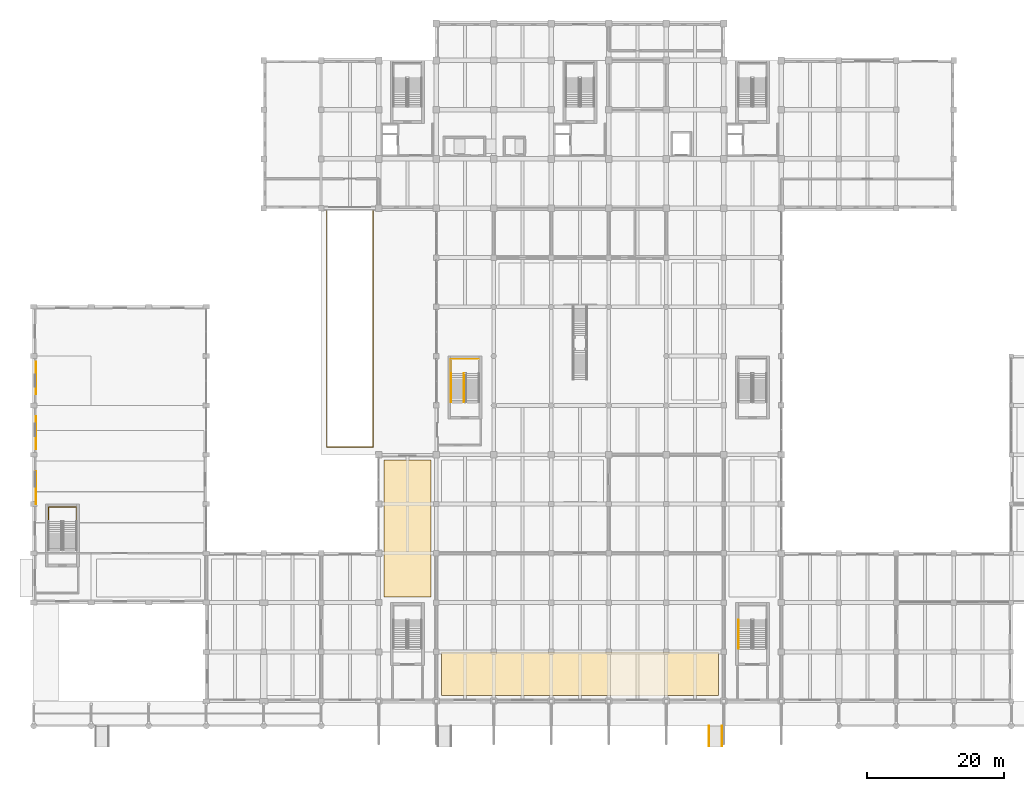
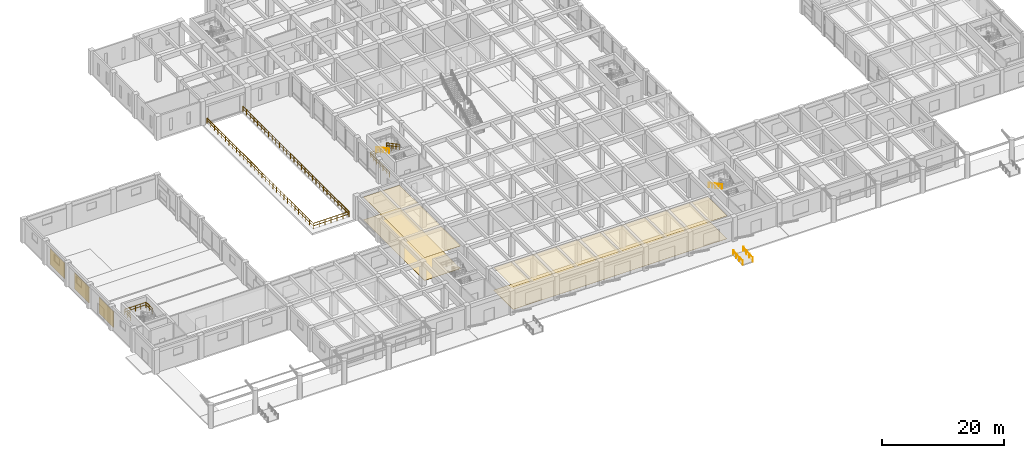
# One storey, part 40 of 49: 8 railings, 7 coverings.
"""IFC4 building model written with IfcOpenShell, lengths in metres."""

from ifc_helpers import new_model, si_unit, direction, frame, origin, origin_2d, place, context, subcontext, project, spatial, polyline, rectangle, circle, outline, extrude, material, layer, layer_set, type_object, element, save


model = new_model("IFC4")

# Units and contexts
model_context = context("Model", 3, precision=1e-05, world=origin(), true_north=direction((0.0, 1.0)))
body_context = subcontext(model_context, "Body", "Model", "MODEL_VIEW")
ifc_project = project(units=[si_unit("LENGTHUNIT", "METRE"), si_unit("AREAUNIT", "SQUARE_METRE"), si_unit("VOLUMEUNIT", "CUBIC_METRE"), si_unit("PLANEANGLEUNIT", "RADIAN"), si_unit("MASSUNIT", "GRAM", prefix="KILO")], contexts=[model_context])

# Site, building, storey
site_placement = place(None, origin())
site = spatial("IfcSite", under=ifc_project, at=site_placement, CompositionType="ELEMENT")
building_placement = place(site_placement, origin())
building = spatial("IfcBuilding", under=site, at=building_placement, Name="Kenerak Square Central Library", CompositionType="ELEMENT")
storey_placement = place(building_placement, origin())
storey = spatial("IfcBuildingStorey", under=building, at=storey_placement, Name="L00", CompositionType="ELEMENT", Elevation=0.0)

# Coverings
ifc_material_1 = material(Name="Chengal hardwood timber SG1", Category="wood")
ifc_layer_1 = layer(ifc_material_1, 0.034912109375)
ifc_layer_set_1 = layer_set([ifc_layer_1], Name="Chengal hardwood timber SG1")
covering_type_1 = type_object("IfcCoveringType", Name="Fluted Chengal Acoustic Wall Cladding CV-CLAD", PredefinedType="CLADDING", material=ifc_layer_set_1)
for number, where, z_axis, x_axis, name in (
    (1, (8.35009765625, 48.0, 0.2001953125), (0.0, 0.0, 1.0), (1.0, 0.0, 0.0), "Chengal Acoustic Wall Cladding L00 01"),
    (2, (8.35009765625, 56.0, 0.2001953125), (0.0, 0.0, 1.0), (1.0, 0.0, 0.0), "Chengal Acoustic Wall Cladding L00 02"),
    (3, (8.35009765625, 64.0, 0.2001953125), (0.0, 0.0, 1.0), (1.0, 0.0, 0.0), "Chengal Acoustic Wall Cladding L00 03"),
):
    element("IfcCovering", number, at=place(storey_placement, frame(where, z_axis=z_axis, x_axis=x_axis)), inside=storey, type_object=covering_type_1, Name=name, PredefinedType="CLADDING", context=body_context, shape_type="SweptSolid", body=[
        extrude(rectangle(XDim=0.050048828125, YDim=4.800048828125, at=origin_2d()), origin(), (0.0, 0.0, 1.0), 3.199951171875),
    ])
ifc_layer_2 = layer(ifc_material_1, 0.044921875)
ifc_layer_set_2 = layer_set([ifc_layer_2], Name="Chengal hardwood timber SG1")
covering_type_2 = type_object("IfcCoveringType", Name="Perforated Chengal Acoustic Ceiling CV-CEIL", PredefinedType="CEILING", material=ifc_layer_set_2)
covering_1_placement = place(storey_placement, frame((0.0, 0.0, 4.530029296875)))
element("IfcCovering", 4, at=covering_1_placement, inside=storey, type_object=covering_type_2, Name="Acoustic Ceiling L00-01", PredefinedType="CEILING", context=body_context, shape_type="SweptSolid", body=[
    extrude(outline(polyline([(108.0, 17.60009765625), (67.60009765625, 17.60009765625), (67.60009765625, 24.0), (108.0, 24.0), (108.0, 17.60009765625)])), origin(), (0.0, 0.0, 1.0), 0.044921875),
])
covering_2_placement = place(storey_placement, frame((0.0, 0.0, 4.530029296875)))
element("IfcCovering", 5, at=covering_2_placement, inside=storey, type_object=covering_type_2, Name="Acoustic Ceiling L00-25", PredefinedType="CEILING", context=body_context, shape_type="SweptSolid", body=[
    extrude(outline(polyline([(59.199951171875, 52.0), (66.0, 52.0), (66.0, 32.0), (59.199951171875, 32.0), (59.199951171875, 52.0)])), origin(), (0.0, 0.0, 1.0), 0.044921875),
])
ifc_material_2 = material(Name="Polished granite aggregate terrazzo", Category="masonry")
ifc_layer_3 = layer(ifc_material_2, 0.02490234375)
ifc_layer_set_3 = layer_set([ifc_layer_3], Name="Polished granite aggregate terrazzo")
covering_type_3 = type_object("IfcCoveringType", Name="Polished Terrazzo Reading Floor Finish CV-FLR", PredefinedType="FLOORING", material=ifc_layer_set_3)
covering_3_placement = place(storey_placement, origin())
element("IfcCovering", 6, at=covering_3_placement, inside=storey, type_object=covering_type_3, Name="Terrazzo Floor Finish L00-01", PredefinedType="FLOORING", context=body_context, shape_type="SweptSolid", body=[
    extrude(outline(polyline([(108.0, 17.60009765625), (67.60009765625, 17.60009765625), (67.60009765625, 24.0), (108.0, 24.0), (108.0, 17.60009765625)])), origin(), (0.0, 0.0, 1.0), 0.02490234375),
])
covering_4_placement = place(storey_placement, origin())
element("IfcCovering", 7, at=covering_4_placement, inside=storey, type_object=covering_type_3, Name="Terrazzo Floor Finish L00-25", PredefinedType="FLOORING", context=body_context, shape_type="SweptSolid", body=[
    extrude(outline(polyline([(59.199951171875, 52.0), (66.0, 52.0), (66.0, 32.0), (59.199951171875, 32.0), (59.199951171875, 52.0)])), origin(), (0.0, 0.0, 1.0), 0.02490234375),
])

# Railings
ifc_material_3 = material(Name="Steel S355", Category="steel")
railing_type_1 = type_object("IfcRailingType", Name="Safety Guardrail GR-1100 S355", PredefinedType="GUARDRAIL", material=ifc_material_3)
railing_1_placement = place(storey_placement, frame((10.179931640625, 43.14990234375, 2.39990234375)))
element("IfcRailing", 8, at=railing_1_placement, inside=storey, type_object=railing_type_1, Name="Stair Half-Landing Guard ST-06 L00", PredefinedType="GUARDRAIL", context=body_context, shape_type="SweptSolid", body=[
    extrude(circle(Radius=0.02392578125, at=origin_2d()), frame((0.0, 0.0, 1.076171875), z_axis=(0.0, 1.0, 0.0), x_axis=(-1.0, 0.0, 0.0)), (0.0, 0.0, 1.0), 2.0),
    extrude(circle(Radius=0.01806640625, at=origin_2d()), frame((0.0, 0.0, 0.572021484375), z_axis=(0.0, 1.0, 0.0), x_axis=(-1.0, 0.0, 0.0)), (0.0, 0.0, 1.0), 2.0),
    extrude(circle(Radius=0.02392578125, at=origin_2d()), frame((0.0, 2.0, 1.076171875), z_axis=(1.0, 0.0, 0.0), x_axis=(0.0, 1.0, 0.0)), (0.0, 0.0, 1.0), 4.0400390625),
    extrude(circle(Radius=0.01806640625, at=origin_2d()), frame((0.0, 2.0, 0.572021484375), z_axis=(1.0, 0.0, 0.0), x_axis=(0.0, 1.0, 0.0)), (0.0, 0.0, 1.0), 4.0400390625),
    extrude(circle(Radius=0.02392578125, at=origin_2d()), frame((4.0400390625, 2.0, 1.076171875), z_axis=(0.0, -1.0, 0.0), x_axis=(1.0, 0.0, 0.0)), (0.0, 0.0, 1.0), 2.0),
    extrude(circle(Radius=0.01806640625, at=origin_2d()), frame((4.0400390625, 2.0, 0.572021484375), z_axis=(0.0, -1.0, 0.0), x_axis=(1.0, 0.0, 0.0)), (0.0, 0.0, 1.0), 2.0),
    extrude(circle(Radius=0.02099609375, at=origin_2d()), origin(), (0.0, 0.0, 1.0), 1.052001953125),
    extrude(circle(Radius=0.02099609375, at=origin_2d()), frame((0.0, 1.0, 0.0)), (0.0, 0.0, 1.0), 1.052001953125),
    extrude(circle(Radius=0.02099609375, at=origin_2d()), frame((0.0, 2.0, 0.0)), (0.0, 0.0, 1.0), 1.052001953125),
    extrude(circle(Radius=0.02099609375, at=origin_2d()), frame((1.010009765625, 2.0, 0.0)), (0.0, 0.0, 1.0), 1.052001953125),
    extrude(circle(Radius=0.02099609375, at=origin_2d()), frame((2.02001953125, 2.0, 0.0)), (0.0, 0.0, 1.0), 1.052001953125),
    extrude(circle(Radius=0.02099609375, at=origin_2d()), frame((3.030029296875, 2.0, 0.0)), (0.0, 0.0, 1.0), 1.052001953125),
    extrude(circle(Radius=0.02099609375, at=origin_2d()), frame((4.0400390625, 2.0, 0.0)), (0.0, 0.0, 1.0), 1.052001953125),
    extrude(circle(Radius=0.02099609375, at=origin_2d()), frame((4.0400390625, 1.0, 0.0)), (0.0, 0.0, 1.0), 1.052001953125),
    extrude(circle(Radius=0.02099609375, at=origin_2d()), frame((4.0400390625, 0.0, 0.0)), (0.0, 0.0, 1.0), 1.052001953125),
])
railing_2_placement = place(storey_placement, frame((70.85009765625, 64.64990234375, 2.56005859375)))
element("IfcRailing", 9, at=railing_2_placement, inside=storey, type_object=railing_type_1, Name="L00 ST-08 stair guard 3", PredefinedType="GUARDRAIL", context=body_context, shape_type="SweptSolid", body=[
    extrude(circle(Radius=0.02392578125, at=origin_2d()), frame((0.0, 0.0, 1.076171875), z_axis=(0.0, -0.882351521365, 0.470590897432), x_axis=(1.0, 0.0, 0.0)), (0.0, 0.0, 1.0), 4.760009765625),
    extrude(circle(Radius=0.01806640625, at=origin_2d()), frame((0.0, 0.0, 0.572021484375), z_axis=(0.0, -0.882351521365, 0.470590897432), x_axis=(1.0, 0.0, 0.0)), (0.0, 0.0, 1.0), 4.760009765625),
    extrude(circle(Radius=0.02099609375, at=origin_2d()), origin(), (0.0, 0.0, 1.0), 1.052001953125),
    extrude(circle(Radius=0.02099609375, at=origin_2d()), frame((0.0, -1.050048828125, 0.56005859375)), (0.0, 0.0, 1.0), 1.052001953125),
    extrude(circle(Radius=0.02099609375, at=origin_2d()), frame((0.0, -2.10009765625, 1.1201171875)), (0.0, 0.0, 1.0), 1.052001953125),
    extrude(circle(Radius=0.02099609375, at=origin_2d()), frame((0.0, -3.14990234375, 1.679931640625)), (0.0, 0.0, 1.0), 1.052001953125),
    extrude(circle(Radius=0.02099609375, at=origin_2d()), frame((0.0, -4.199951171875, 2.239990234375)), (0.0, 0.0, 1.0), 1.052001953125),
])
railing_3_placement = place(storey_placement, frame((68.97998046875, 60.449951171875, 0.0)))
element("IfcRailing", 10, at=railing_3_placement, inside=storey, type_object=railing_type_1, Name="Stair Well Floor Guard ST-08 L00", PredefinedType="GUARDRAIL", context=body_context, shape_type="SweptSolid", body=[
    extrude(circle(Radius=0.02392578125, at=origin_2d()), frame((0.0, 0.0, 1.076171875), z_axis=(0.0, 1.0, 0.0), x_axis=(-1.0, 0.0, 0.0)), (0.0, 0.0, 1.0), 6.300048828125),
    extrude(circle(Radius=0.01806640625, at=origin_2d()), frame((0.0, 0.0, 0.572021484375), z_axis=(0.0, 1.0, 0.0), x_axis=(-1.0, 0.0, 0.0)), (0.0, 0.0, 1.0), 6.300048828125),
    extrude(circle(Radius=0.02392578125, at=origin_2d()), frame((0.0, 6.300048828125, 1.076171875), z_axis=(1.0, 0.0, 0.0), x_axis=(0.0, 1.0, 0.0)), (0.0, 0.0, 1.0), 4.0400390625),
    extrude(circle(Radius=0.01806640625, at=origin_2d()), frame((0.0, 6.300048828125, 0.572021484375), z_axis=(1.0, 0.0, 0.0), x_axis=(0.0, 1.0, 0.0)), (0.0, 0.0, 1.0), 4.0400390625),
    extrude(circle(Radius=0.02099609375, at=origin_2d()), origin(), (0.0, 0.0, 1.0), 1.052001953125),
    extrude(circle(Radius=0.02099609375, at=origin_2d()), frame((0.0, 1.050048828125, 0.0)), (0.0, 0.0, 1.0), 1.052001953125),
    extrude(circle(Radius=0.02099609375, at=origin_2d()), frame((0.0, 2.10009765625, 0.0)), (0.0, 0.0, 1.0), 1.052001953125),
    extrude(circle(Radius=0.02099609375, at=origin_2d()), frame((0.0, 3.14990234375, 0.0)), (0.0, 0.0, 1.0), 1.052001953125),
    extrude(circle(Radius=0.02099609375, at=origin_2d()), frame((0.0, 4.199951171875, 0.0)), (0.0, 0.0, 1.0), 1.052001953125),
    extrude(circle(Radius=0.02099609375, at=origin_2d()), frame((0.0, 5.25, 0.0)), (0.0, 0.0, 1.0), 1.052001953125),
    extrude(circle(Radius=0.02099609375, at=origin_2d()), frame((0.0, 6.300048828125, 0.0)), (0.0, 0.0, 1.0), 1.052001953125),
    extrude(circle(Radius=0.02099609375, at=origin_2d()), frame((1.010009765625, 6.300048828125, 0.0)), (0.0, 0.0, 1.0), 1.052001953125),
    extrude(circle(Radius=0.02099609375, at=origin_2d()), frame((2.02001953125, 6.300048828125, 0.0)), (0.0, 0.0, 1.0), 1.052001953125),
    extrude(circle(Radius=0.02099609375, at=origin_2d()), frame((3.030029296875, 6.300048828125, 0.0)), (0.0, 0.0, 1.0), 1.052001953125),
    extrude(circle(Radius=0.02099609375, at=origin_2d()), frame((4.0400390625, 6.300048828125, 0.0)), (0.0, 0.0, 1.0), 1.052001953125),
])
railing_4_placement = place(storey_placement, frame((50.820068359375, 88.60009765625, 0.0)))
element("IfcRailing", 11, at=railing_4_placement, inside=storey, type_object=railing_type_1, Name="Car Park Ramp Void Guardrail L00", PredefinedType="GUARDRAIL", context=body_context, shape_type="SweptSolid", body=[
    extrude(circle(Radius=0.02392578125, at=origin_2d()), frame((0.0, 0.0, 1.076171875), z_axis=(0.0, -1.0, 0.0), x_axis=(1.0, 0.0, 0.0)), (0.0, 0.0, 1.0), 34.68017578125),
    extrude(circle(Radius=0.01806640625, at=origin_2d()), frame((0.0, 0.0, 0.572021484375), z_axis=(0.0, -1.0, 0.0), x_axis=(1.0, 0.0, 0.0)), (0.0, 0.0, 1.0), 34.68017578125),
    extrude(circle(Radius=0.02392578125, at=origin_2d()), frame((0.0, -34.68017578125, 1.076171875), z_axis=(1.0, 0.0, 0.0), x_axis=(0.0, 1.0, 0.0)), (0.0, 0.0, 1.0), 6.760009765625),
    extrude(circle(Radius=0.01806640625, at=origin_2d()), frame((0.0, -34.68017578125, 0.572021484375), z_axis=(1.0, 0.0, 0.0), x_axis=(0.0, 1.0, 0.0)), (0.0, 0.0, 1.0), 6.760009765625),
    extrude(circle(Radius=0.02392578125, at=origin_2d()), frame((6.760009765625, -34.68017578125, 1.076171875), z_axis=(0.0, 1.0, 0.0), x_axis=(-1.0, 0.0, 0.0)), (0.0, 0.0, 1.0), 34.68017578125),
    extrude(circle(Radius=0.01806640625, at=origin_2d()), frame((6.760009765625, -34.68017578125, 0.572021484375), z_axis=(0.0, 1.0, 0.0), x_axis=(-1.0, 0.0, 0.0)), (0.0, 0.0, 1.0), 34.68017578125),
    extrude(circle(Radius=0.02099609375, at=origin_2d()), origin(), (0.0, 0.0, 1.0), 1.052001953125),
    extrude(circle(Radius=0.02099609375, at=origin_2d()), frame((0.0, -1.19580078125, 0.0)), (0.0, 0.0, 1.0), 1.052001953125),
    extrude(circle(Radius=0.02099609375, at=origin_2d()), frame((0.0, -2.391845703125, 0.0)), (0.0, 0.0, 1.0), 1.052001953125),
    extrude(circle(Radius=0.02099609375, at=origin_2d()), frame((0.0, -3.587646484375, 0.0)), (0.0, 0.0, 1.0), 1.052001953125),
    extrude(circle(Radius=0.02099609375, at=origin_2d()), frame((0.0, -4.783447265625, 0.0)), (0.0, 0.0, 1.0), 1.052001953125),
    extrude(circle(Radius=0.02099609375, at=origin_2d()), frame((0.0, -5.979248046875, 0.0)), (0.0, 0.0, 1.0), 1.052001953125),
    extrude(circle(Radius=0.02099609375, at=origin_2d()), frame((0.0, -7.17529296875, 0.0)), (0.0, 0.0, 1.0), 1.052001953125),
    extrude(circle(Radius=0.02099609375, at=origin_2d()), frame((0.0, -8.37109375, 0.0)), (0.0, 0.0, 1.0), 1.052001953125),
    extrude(circle(Radius=0.02099609375, at=origin_2d()), frame((0.0, -9.56689453125, 0.0)), (0.0, 0.0, 1.0), 1.052001953125),
    extrude(circle(Radius=0.02099609375, at=origin_2d()), frame((0.0, -10.7626953125, 0.0)), (0.0, 0.0, 1.0), 1.052001953125),
    extrude(circle(Radius=0.02099609375, at=origin_2d()), frame((0.0, -11.958740234375, 0.0)), (0.0, 0.0, 1.0), 1.052001953125),
    extrude(circle(Radius=0.02099609375, at=origin_2d()), frame((0.0, -13.154541015625, 0.0)), (0.0, 0.0, 1.0), 1.052001953125),
    extrude(circle(Radius=0.02099609375, at=origin_2d()), frame((0.0, -14.350341796875, 0.0)), (0.0, 0.0, 1.0), 1.052001953125),
    extrude(circle(Radius=0.02099609375, at=origin_2d()), frame((0.0, -15.54638671875, 0.0)), (0.0, 0.0, 1.0), 1.052001953125),
    extrude(circle(Radius=0.02099609375, at=origin_2d()), frame((0.0, -16.7421875, 0.0)), (0.0, 0.0, 1.0), 1.052001953125),
    extrude(circle(Radius=0.02099609375, at=origin_2d()), frame((0.0, -17.93798828125, 0.0)), (0.0, 0.0, 1.0), 1.052001953125),
    extrude(circle(Radius=0.02099609375, at=origin_2d()), frame((0.0, -19.1337890625, 0.0)), (0.0, 0.0, 1.0), 1.052001953125),
    extrude(circle(Radius=0.02099609375, at=origin_2d()), frame((0.0, -20.329833984375, 0.0)), (0.0, 0.0, 1.0), 1.052001953125),
    extrude(circle(Radius=0.02099609375, at=origin_2d()), frame((0.0, -21.525634765625, 0.0)), (0.0, 0.0, 1.0), 1.052001953125),
    extrude(circle(Radius=0.02099609375, at=origin_2d()), frame((0.0, -22.721435546875, 0.0)), (0.0, 0.0, 1.0), 1.052001953125),
    extrude(circle(Radius=0.02099609375, at=origin_2d()), frame((0.0, -23.91748046875, 0.0)), (0.0, 0.0, 1.0), 1.052001953125),
    extrude(circle(Radius=0.02099609375, at=origin_2d()), frame((0.0, -25.11328125, 0.0)), (0.0, 0.0, 1.0), 1.052001953125),
    extrude(circle(Radius=0.02099609375, at=origin_2d()), frame((0.0, -26.30908203125, 0.0)), (0.0, 0.0, 1.0), 1.052001953125),
    extrude(circle(Radius=0.02099609375, at=origin_2d()), frame((0.0, -27.5048828125, 0.0)), (0.0, 0.0, 1.0), 1.052001953125),
    extrude(circle(Radius=0.02099609375, at=origin_2d()), frame((0.0, -28.700927734375, 0.0)), (0.0, 0.0, 1.0), 1.052001953125),
    extrude(circle(Radius=0.02099609375, at=origin_2d()), frame((0.0, -29.896728515625, 0.0)), (0.0, 0.0, 1.0), 1.052001953125),
    extrude(circle(Radius=0.02099609375, at=origin_2d()), frame((0.0, -31.092529296875, 0.0)), (0.0, 0.0, 1.0), 1.052001953125),
    extrude(circle(Radius=0.02099609375, at=origin_2d()), frame((0.0, -32.288330078125, 0.0)), (0.0, 0.0, 1.0), 1.052001953125),
    extrude(circle(Radius=0.02099609375, at=origin_2d()), frame((0.0, -33.484375, 0.0)), (0.0, 0.0, 1.0), 1.052001953125),
    extrude(circle(Radius=0.02099609375, at=origin_2d()), frame((0.0, -34.68017578125, 0.0)), (0.0, 0.0, 1.0), 1.052001953125),
    extrude(circle(Radius=0.02099609375, at=origin_2d()), frame((1.126708984375, -34.68017578125, 0.0)), (0.0, 0.0, 1.0), 1.052001953125),
    extrude(circle(Radius=0.02099609375, at=origin_2d()), frame((2.25341796875, -34.68017578125, 0.0)), (0.0, 0.0, 1.0), 1.052001953125),
    extrude(circle(Radius=0.02099609375, at=origin_2d()), frame((3.3798828125, -34.68017578125, 0.0)), (0.0, 0.0, 1.0), 1.052001953125),
    extrude(circle(Radius=0.02099609375, at=origin_2d()), frame((4.506591796875, -34.68017578125, 0.0)), (0.0, 0.0, 1.0), 1.052001953125),
    extrude(circle(Radius=0.02099609375, at=origin_2d()), frame((5.63330078125, -34.68017578125, 0.0)), (0.0, 0.0, 1.0), 1.052001953125),
    extrude(circle(Radius=0.02099609375, at=origin_2d()), frame((6.760009765625, -34.68017578125, 0.0)), (0.0, 0.0, 1.0), 1.052001953125),
    extrude(circle(Radius=0.02099609375, at=origin_2d()), frame((6.760009765625, -33.484375, 0.0)), (0.0, 0.0, 1.0), 1.052001953125),
    extrude(circle(Radius=0.02099609375, at=origin_2d()), frame((6.760009765625, -32.288330078125, 0.0)), (0.0, 0.0, 1.0), 1.052001953125),
    extrude(circle(Radius=0.02099609375, at=origin_2d()), frame((6.760009765625, -31.092529296875, 0.0)), (0.0, 0.0, 1.0), 1.052001953125),
    extrude(circle(Radius=0.02099609375, at=origin_2d()), frame((6.760009765625, -29.896728515625, 0.0)), (0.0, 0.0, 1.0), 1.052001953125),
    extrude(circle(Radius=0.02099609375, at=origin_2d()), frame((6.760009765625, -28.700927734375, 0.0)), (0.0, 0.0, 1.0), 1.052001953125),
    extrude(circle(Radius=0.02099609375, at=origin_2d()), frame((6.760009765625, -27.5048828125, 0.0)), (0.0, 0.0, 1.0), 1.052001953125),
    extrude(circle(Radius=0.02099609375, at=origin_2d()), frame((6.760009765625, -26.30908203125, 0.0)), (0.0, 0.0, 1.0), 1.052001953125),
    extrude(circle(Radius=0.02099609375, at=origin_2d()), frame((6.760009765625, -25.11328125, 0.0)), (0.0, 0.0, 1.0), 1.052001953125),
    extrude(circle(Radius=0.02099609375, at=origin_2d()), frame((6.760009765625, -23.91748046875, 0.0)), (0.0, 0.0, 1.0), 1.052001953125),
    extrude(circle(Radius=0.02099609375, at=origin_2d()), frame((6.760009765625, -22.721435546875, 0.0)), (0.0, 0.0, 1.0), 1.052001953125),
    extrude(circle(Radius=0.02099609375, at=origin_2d()), frame((6.760009765625, -21.525634765625, 0.0)), (0.0, 0.0, 1.0), 1.052001953125),
    extrude(circle(Radius=0.02099609375, at=origin_2d()), frame((6.760009765625, -20.329833984375, 0.0)), (0.0, 0.0, 1.0), 1.052001953125),
    extrude(circle(Radius=0.02099609375, at=origin_2d()), frame((6.760009765625, -19.1337890625, 0.0)), (0.0, 0.0, 1.0), 1.052001953125),
    extrude(circle(Radius=0.02099609375, at=origin_2d()), frame((6.760009765625, -17.93798828125, 0.0)), (0.0, 0.0, 1.0), 1.052001953125),
    extrude(circle(Radius=0.02099609375, at=origin_2d()), frame((6.760009765625, -16.7421875, 0.0)), (0.0, 0.0, 1.0), 1.052001953125),
    extrude(circle(Radius=0.02099609375, at=origin_2d()), frame((6.760009765625, -15.54638671875, 0.0)), (0.0, 0.0, 1.0), 1.052001953125),
    extrude(circle(Radius=0.02099609375, at=origin_2d()), frame((6.760009765625, -14.350341796875, 0.0)), (0.0, 0.0, 1.0), 1.052001953125),
    extrude(circle(Radius=0.02099609375, at=origin_2d()), frame((6.760009765625, -13.154541015625, 0.0)), (0.0, 0.0, 1.0), 1.052001953125),
    extrude(circle(Radius=0.02099609375, at=origin_2d()), frame((6.760009765625, -11.958740234375, 0.0)), (0.0, 0.0, 1.0), 1.052001953125),
    extrude(circle(Radius=0.02099609375, at=origin_2d()), frame((6.760009765625, -10.7626953125, 0.0)), (0.0, 0.0, 1.0), 1.052001953125),
    extrude(circle(Radius=0.02099609375, at=origin_2d()), frame((6.760009765625, -9.56689453125, 0.0)), (0.0, 0.0, 1.0), 1.052001953125),
    extrude(circle(Radius=0.02099609375, at=origin_2d()), frame((6.760009765625, -8.37109375, 0.0)), (0.0, 0.0, 1.0), 1.052001953125),
    extrude(circle(Radius=0.02099609375, at=origin_2d()), frame((6.760009765625, -7.17529296875, 0.0)), (0.0, 0.0, 1.0), 1.052001953125),
    extrude(circle(Radius=0.02099609375, at=origin_2d()), frame((6.760009765625, -5.979248046875, 0.0)), (0.0, 0.0, 1.0), 1.052001953125),
    extrude(circle(Radius=0.02099609375, at=origin_2d()), frame((6.760009765625, -4.783447265625, 0.0)), (0.0, 0.0, 1.0), 1.052001953125),
    extrude(circle(Radius=0.02099609375, at=origin_2d()), frame((6.760009765625, -3.587646484375, 0.0)), (0.0, 0.0, 1.0), 1.052001953125),
    extrude(circle(Radius=0.02099609375, at=origin_2d()), frame((6.760009765625, -2.391845703125, 0.0)), (0.0, 0.0, 1.0), 1.052001953125),
    extrude(circle(Radius=0.02099609375, at=origin_2d()), frame((6.760009765625, -1.19580078125, 0.0)), (0.0, 0.0, 1.0), 1.052001953125),
    extrude(circle(Radius=0.02099609375, at=origin_2d()), frame((6.760009765625, 0.0, 0.0)), (0.0, 0.0, 1.0), 1.052001953125),
])
railing_type_2 = type_object("IfcRailingType", Name="Stair Handrail HR-880 S355", PredefinedType="HANDRAIL", material=ifc_material_3)
for number, where, name in (
    (12, (110.969970703125, 28.64990234375, 2.56005859375), "L00 ST-05 stair handrail 2"),
    (13, (68.969970703125, 64.64990234375, 2.56005859375), "L00 ST-08 stair handrail 2"),
):
    element("IfcRailing", number, at=place(storey_placement, frame(where)), inside=storey, type_object=railing_type_2, Name=name, PredefinedType="HANDRAIL", context=body_context, shape_type="SweptSolid", body=[
        extrude(circle(Radius=0.02392578125, at=origin_2d()), frame((0.0, 0.0, 0.85595703125), z_axis=(0.0, -0.882351521365, 0.470590897432), x_axis=(1.0, 0.0, 0.0)), (0.0, 0.0, 1.0), 4.760009765625),
        extrude(circle(Radius=0.02099609375, at=origin_2d()), origin(), (0.0, 0.0, 1.0), 0.831787109375),
        extrude(circle(Radius=0.02099609375, at=origin_2d()), frame((0.0, -1.050048828125, 0.56005859375)), (0.0, 0.0, 1.0), 0.831787109375),
        extrude(circle(Radius=0.02099609375, at=origin_2d()), frame((0.0, -2.10009765625, 1.1201171875)), (0.0, 0.0, 1.0), 0.831787109375),
        extrude(circle(Radius=0.02099609375, at=origin_2d()), frame((0.0, -3.14990234375, 1.679931640625)), (0.0, 0.0, 1.0), 0.831787109375),
        extrude(circle(Radius=0.02099609375, at=origin_2d()), frame((0.0, -4.199951171875, 2.239990234375)), (0.0, 0.0, 1.0), 0.831787109375),
    ])
for number, where, name in (
    (14, (106.659912109375, 10.199951171875, -0.239990234375), "South-East Square Accessible Ramp PR-02 Handrail L"),
    (15, (108.5400390625, 10.199951171875, -0.239990234375), "South-East Square Accessible Ramp PR-02 Handrail R"),
):
    element("IfcRailing", number, at=place(storey_placement, frame(where)), inside=storey, type_object=railing_type_2, Name=name, PredefinedType="HANDRAIL", context=body_context, shape_type="SweptSolid", body=[
        extrude(circle(Radius=0.02392578125, at=origin_2d()), frame((0.0, 0.0, 0.85595703125), z_axis=(0.0, 0.996815536467, 0.079741998075), x_axis=(-1.0, 0.0, 0.0)), (0.0, 0.0, 1.0), 3.009521484375),
        extrude(circle(Radius=0.02099609375, at=origin_2d()), origin(), (0.0, 0.0, 1.0), 0.831787109375),
        extrude(circle(Radius=0.02099609375, at=origin_2d()), frame((0.0, 1.0, 0.080078125)), (0.0, 0.0, 1.0), 0.831787109375),
        extrude(circle(Radius=0.02099609375, at=origin_2d()), frame((0.0, 2.0, 0.159912109375)), (0.0, 0.0, 1.0), 0.831787109375),
        extrude(circle(Radius=0.02099609375, at=origin_2d()), frame((0.0, 3.0, 0.239990234375)), (0.0, 0.0, 1.0), 0.831787109375),
    ])

save(model, "model.ifc")
